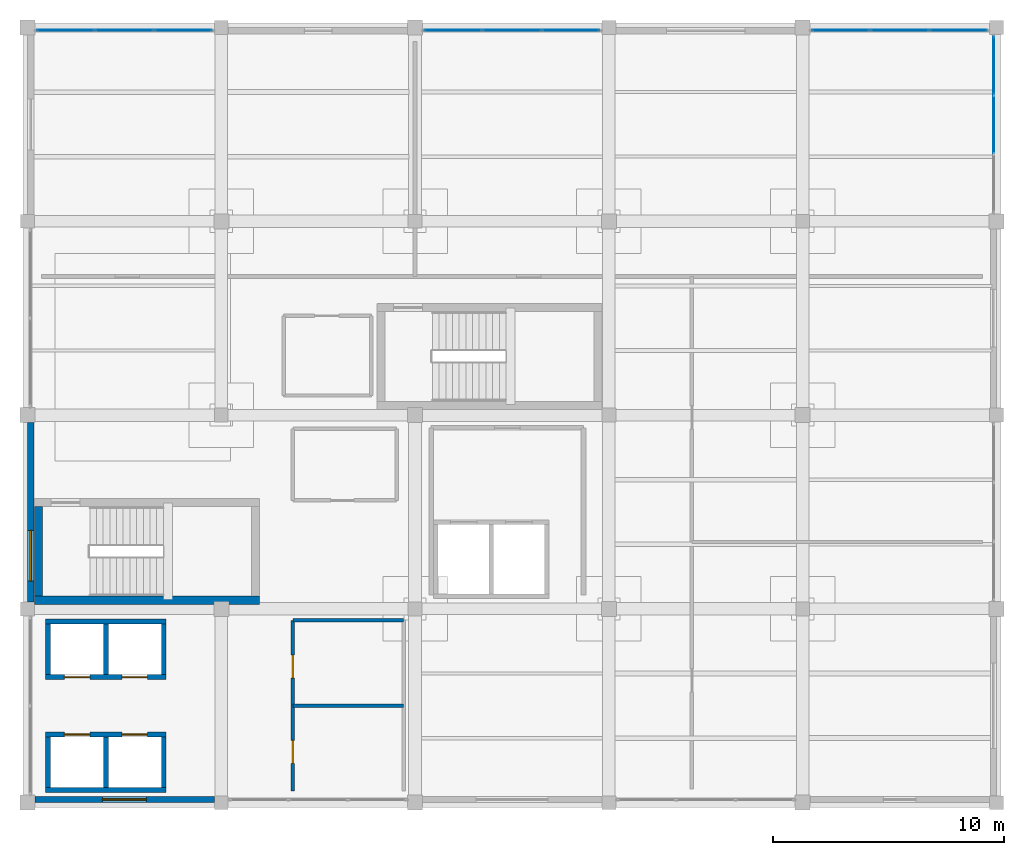
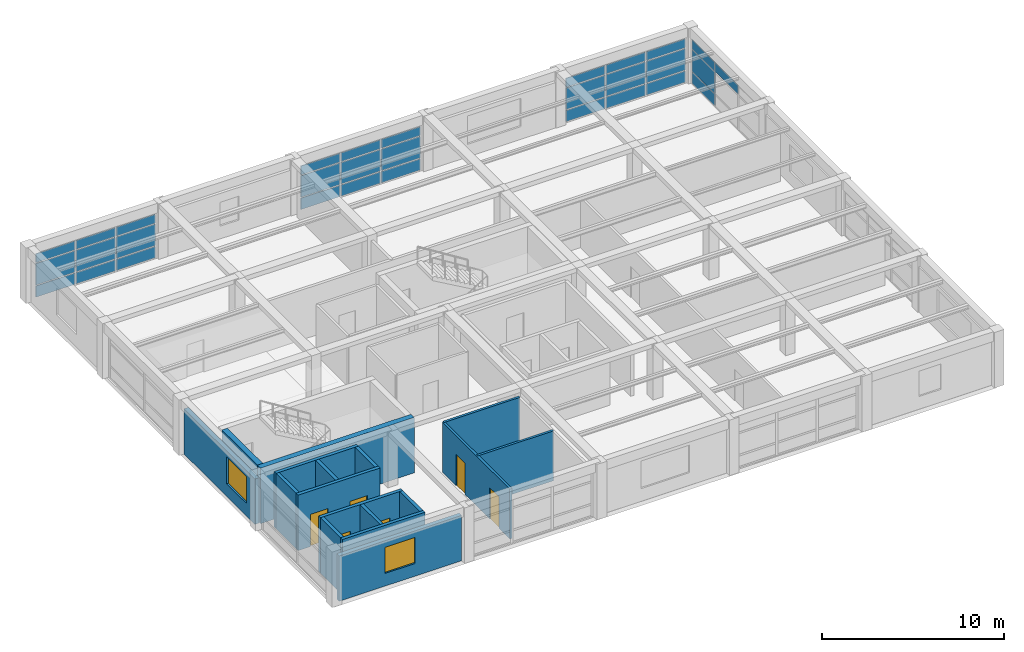
# One storey, part 23 of 26: 31 plates, 17 walls, 6 doors, 2 windows, 8 openings, 4 elements without a shape of their own.
"""IFC4 building model written with IfcOpenShell, lengths in metres."""

from ifc_helpers import new_model, si_unit, direction, frame, frame_2d, origin, origin_2d, place, context, subcontext, project, spatial, rectangle, extrude, material, layer, layer_set, type_object, element, fill, aggregate, save


model = new_model("IFC4")

# Units and contexts
model_context = context("Model", 3, precision=1e-05, world=origin(), true_north=direction((0.0, 1.0)))
body_context = subcontext(model_context, "Body", "Model", "MODEL_VIEW")
ifc_project = project(units=[si_unit("LENGTHUNIT", "METRE"), si_unit("AREAUNIT", "SQUARE_METRE"), si_unit("VOLUMEUNIT", "CUBIC_METRE"), si_unit("PLANEANGLEUNIT", "RADIAN"), si_unit("MASSUNIT", "GRAM", prefix="KILO")], contexts=[model_context])

# Site, building, storey
site_placement = place(None, origin())
site = spatial("IfcSite", under=ifc_project, at=site_placement, CompositionType="ELEMENT")
building_placement = place(site_placement, origin())
building = spatial("IfcBuilding", under=site, at=building_placement, Name="Almacenes y Pasaje Nevantli", CompositionType="ELEMENT")
storey_placement = place(building_placement, frame((0.0, 0.0, 54.699951171875)))
storey = spatial("IfcBuildingStorey", under=building, at=storey_placement, Name="L13", CompositionType="ELEMENT", Elevation=54.699951171875)

# Curtain wall, plates
ifc_material_1 = material(Name="Thermally Broken Aluminium and Low-E Glass", Category="aluminium")
curtain_wall_type = type_object("IfcCurtainWallType", Name="CW-UNIT-TOWER", PredefinedType="USERDEFINED", material=ifc_material_1)
curtain_wall_1_placement = place(storey_placement, origin())
curtain_wall_1 = element("IfcCurtainWall", 1, at=curtain_wall_1_placement, inside=storey, type_object=curtain_wall_type, Name="L13 Tower North Boulevard Unitized Curtain Wall Bay 15", ObjectType="UNITIZED CURTAIN WALL", PredefinedType="USERDEFINED")
ifc_material_2 = material(Name="Acoustic Tempered Low-E Triple Glazed Unit", Category="glass")
ifc_layer_1 = layer(ifc_material_2, 0.0419921875)
ifc_layer_set_1 = layer_set([ifc_layer_1], Name="Acoustic Tempered Low-E Triple Glazed Unit")
plate_type = type_object("IfcPlateType", Name="PL-IGU-42", PredefinedType="CURTAIN_PANEL", material=ifc_layer_set_1)
plate_1_placement = place(storey_placement, frame((119.24951171875, 100.679931640625, 0.065185546875), z_axis=(0.0, 0.0, 1.0), x_axis=(1.0, 0.0, 0.0)))
plate_1 = element("IfcPlate", 2, at=plate_1_placement, type_object=plate_type, Name="CW-L13-168 panel 1.1", PredefinedType="CURTAIN_PANEL", context=body_context, shape_type="SweptSolid", body=[
    extrude(rectangle(XDim=2.46923828125, YDim=0.0419921875, at=origin_2d()), origin(), (0.0, 0.0, 1.0), 0.75244140625),
])
plate_2_placement = place(storey_placement, frame((119.24951171875, 100.679931640625, 0.882568359375), z_axis=(0.0, 0.0, 1.0), x_axis=(1.0, 0.0, 0.0)))
plate_2 = element("IfcPlate", 3, at=plate_2_placement, type_object=plate_type, Name="CW-L13-168 panel 1.2", PredefinedType="CURTAIN_PANEL", context=body_context, shape_type="SweptSolid", body=[
    extrude(rectangle(XDim=2.46923828125, YDim=0.0419921875, at=origin_2d()), origin(), (0.0, 0.0, 1.0), 1.43505859375),
])
plate_3_placement = place(storey_placement, frame((119.24951171875, 100.679931640625, 2.38232421875), z_axis=(0.0, 0.0, 1.0), x_axis=(1.0, 0.0, 0.0)))
plate_3 = element("IfcPlate", 4, at=plate_3_placement, type_object=plate_type, Name="CW-L13-168 panel 1.3", PredefinedType="CURTAIN_PANEL", context=body_context, shape_type="SweptSolid", body=[
    extrude(rectangle(XDim=2.46923828125, YDim=0.0419921875, at=origin_2d()), origin(), (0.0, 0.0, 1.0), 0.592529296875),
])
plate_4_placement = place(storey_placement, frame((121.800048828125, 100.679931640625, 0.065185546875), z_axis=(0.0, 0.0, 1.0), x_axis=(1.0, 0.0, 0.0)))
plate_4 = element("IfcPlate", 5, at=plate_4_placement, type_object=plate_type, Name="CW-L13-168 panel 2.1", PredefinedType="CURTAIN_PANEL", context=body_context, shape_type="SweptSolid", body=[
    extrude(rectangle(XDim=2.501708984375, YDim=0.0419921875, at=origin_2d()), origin(), (0.0, 0.0, 1.0), 0.75244140625),
])
plate_5_placement = place(storey_placement, frame((121.800048828125, 100.679931640625, 0.882568359375), z_axis=(0.0, 0.0, 1.0), x_axis=(1.0, 0.0, 0.0)))
plate_5 = element("IfcPlate", 6, at=plate_5_placement, type_object=plate_type, Name="CW-L13-168 panel 2.2", PredefinedType="CURTAIN_PANEL", context=body_context, shape_type="SweptSolid", body=[
    extrude(rectangle(XDim=2.501708984375, YDim=0.0419921875, at=origin_2d()), origin(), (0.0, 0.0, 1.0), 1.43505859375),
])
plate_6_placement = place(storey_placement, frame((121.800048828125, 100.679931640625, 2.38232421875), z_axis=(0.0, 0.0, 1.0), x_axis=(1.0, 0.0, 0.0)))
plate_6 = element("IfcPlate", 7, at=plate_6_placement, type_object=plate_type, Name="CW-L13-168 panel 2.3", PredefinedType="CURTAIN_PANEL", context=body_context, shape_type="SweptSolid", body=[
    extrude(rectangle(XDim=2.501708984375, YDim=0.0419921875, at=origin_2d()), origin(), (0.0, 0.0, 1.0), 0.592529296875),
])
plate_7_placement = place(storey_placement, frame((124.350341796875, 100.679931640625, 0.065185546875), z_axis=(0.0, 0.0, 1.0), x_axis=(1.0, 0.0, 0.0)))
plate_7 = element("IfcPlate", 8, at=plate_7_placement, type_object=plate_type, Name="CW-L13-168 panel 3.1", PredefinedType="CURTAIN_PANEL", context=body_context, shape_type="SweptSolid", body=[
    extrude(rectangle(XDim=2.46923828125, YDim=0.0419921875, at=origin_2d()), origin(), (0.0, 0.0, 1.0), 0.75244140625),
])
plate_8_placement = place(storey_placement, frame((124.350341796875, 100.679931640625, 0.882568359375), z_axis=(0.0, 0.0, 1.0), x_axis=(1.0, 0.0, 0.0)))
plate_8 = element("IfcPlate", 9, at=plate_8_placement, type_object=plate_type, Name="CW-L13-168 panel 3.2", PredefinedType="CURTAIN_PANEL", context=body_context, shape_type="SweptSolid", body=[
    extrude(rectangle(XDim=2.46923828125, YDim=0.0419921875, at=origin_2d()), origin(), (0.0, 0.0, 1.0), 1.43505859375),
])
plate_9_placement = place(storey_placement, frame((124.350341796875, 100.679931640625, 2.38232421875), z_axis=(0.0, 0.0, 1.0), x_axis=(1.0, 0.0, 0.0)))
plate_9 = element("IfcPlate", 10, at=plate_9_placement, type_object=plate_type, Name="CW-L13-168 panel 3.3", PredefinedType="CURTAIN_PANEL", context=body_context, shape_type="SweptSolid", body=[
    extrude(rectangle(XDim=2.46923828125, YDim=0.0419921875, at=origin_2d()), origin(), (0.0, 0.0, 1.0), 0.592529296875),
])
aggregate(curtain_wall_1, [plate_1, plate_2, plate_3, plate_4, plate_5, plate_6, plate_7, plate_8, plate_9])

curtain_wall_2_placement = place(storey_placement, origin())
curtain_wall_2 = element("IfcCurtainWall", 11, at=curtain_wall_2_placement, inside=storey, type_object=curtain_wall_type, Name="L13 Tower North Boulevard Unitized Curtain Wall Bay 17", ObjectType="UNITIZED CURTAIN WALL", PredefinedType="USERDEFINED")
plate_10_placement = place(storey_placement, frame((136.049560546875, 100.679931640625, 0.065185546875), z_axis=(0.0, 0.0, 1.0), x_axis=(1.0, 0.0, 0.0)))
plate_10 = element("IfcPlate", 12, at=plate_10_placement, type_object=plate_type, Name="CW-L13-170 panel 1.1", PredefinedType="CURTAIN_PANEL", context=body_context, shape_type="SweptSolid", body=[
    extrude(rectangle(XDim=2.46923828125, YDim=0.0419921875, at=origin_2d()), origin(), (0.0, 0.0, 1.0), 0.75244140625),
])
plate_11_placement = place(storey_placement, frame((136.049560546875, 100.679931640625, 0.882568359375), z_axis=(0.0, 0.0, 1.0), x_axis=(1.0, 0.0, 0.0)))
plate_11 = element("IfcPlate", 13, at=plate_11_placement, type_object=plate_type, Name="CW-L13-170 panel 1.2", PredefinedType="CURTAIN_PANEL", context=body_context, shape_type="SweptSolid", body=[
    extrude(rectangle(XDim=2.46923828125, YDim=0.0419921875, at=origin_2d()), origin(), (0.0, 0.0, 1.0), 1.43505859375),
])
plate_12_placement = place(storey_placement, frame((136.049560546875, 100.679931640625, 2.38232421875), z_axis=(0.0, 0.0, 1.0), x_axis=(1.0, 0.0, 0.0)))
plate_12 = element("IfcPlate", 14, at=plate_12_placement, type_object=plate_type, Name="CW-L13-170 panel 1.3", PredefinedType="CURTAIN_PANEL", context=body_context, shape_type="SweptSolid", body=[
    extrude(rectangle(XDim=2.46923828125, YDim=0.0419921875, at=origin_2d()), origin(), (0.0, 0.0, 1.0), 0.592529296875),
])
plate_13_placement = place(storey_placement, frame((138.60009765625, 100.679931640625, 0.065185546875), z_axis=(0.0, 0.0, 1.0), x_axis=(1.0, 0.0, 0.0)))
plate_13 = element("IfcPlate", 15, at=plate_13_placement, type_object=plate_type, Name="CW-L13-170 panel 2.1", PredefinedType="CURTAIN_PANEL", context=body_context, shape_type="SweptSolid", body=[
    extrude(rectangle(XDim=2.501708984375, YDim=0.0419921875, at=origin_2d()), origin(), (0.0, 0.0, 1.0), 0.75244140625),
])
plate_14_placement = place(storey_placement, frame((138.60009765625, 100.679931640625, 0.882568359375), z_axis=(0.0, 0.0, 1.0), x_axis=(1.0, 0.0, 0.0)))
plate_14 = element("IfcPlate", 16, at=plate_14_placement, type_object=plate_type, Name="CW-L13-170 panel 2.2", PredefinedType="CURTAIN_PANEL", context=body_context, shape_type="SweptSolid", body=[
    extrude(rectangle(XDim=2.501708984375, YDim=0.0419921875, at=origin_2d()), origin(), (0.0, 0.0, 1.0), 1.43505859375),
])
plate_15_placement = place(storey_placement, frame((138.60009765625, 100.679931640625, 2.38232421875), z_axis=(0.0, 0.0, 1.0), x_axis=(1.0, 0.0, 0.0)))
plate_15 = element("IfcPlate", 17, at=plate_15_placement, type_object=plate_type, Name="CW-L13-170 panel 2.3", PredefinedType="CURTAIN_PANEL", context=body_context, shape_type="SweptSolid", body=[
    extrude(rectangle(XDim=2.501708984375, YDim=0.0419921875, at=origin_2d()), origin(), (0.0, 0.0, 1.0), 0.592529296875),
])
plate_16_placement = place(storey_placement, frame((141.150390625, 100.679931640625, 0.065185546875), z_axis=(0.0, 0.0, 1.0), x_axis=(1.0, 0.0, 0.0)))
plate_16 = element("IfcPlate", 18, at=plate_16_placement, type_object=plate_type, Name="CW-L13-170 panel 3.1", PredefinedType="CURTAIN_PANEL", context=body_context, shape_type="SweptSolid", body=[
    extrude(rectangle(XDim=2.46923828125, YDim=0.0419921875, at=origin_2d()), origin(), (0.0, 0.0, 1.0), 0.75244140625),
])
plate_17_placement = place(storey_placement, frame((141.150390625, 100.679931640625, 0.882568359375), z_axis=(0.0, 0.0, 1.0), x_axis=(1.0, 0.0, 0.0)))
plate_17 = element("IfcPlate", 19, at=plate_17_placement, type_object=plate_type, Name="CW-L13-170 panel 3.2", PredefinedType="CURTAIN_PANEL", context=body_context, shape_type="SweptSolid", body=[
    extrude(rectangle(XDim=2.46923828125, YDim=0.0419921875, at=origin_2d()), origin(), (0.0, 0.0, 1.0), 1.43505859375),
])
plate_18_placement = place(storey_placement, frame((141.150390625, 100.679931640625, 2.38232421875), z_axis=(0.0, 0.0, 1.0), x_axis=(1.0, 0.0, 0.0)))
plate_18 = element("IfcPlate", 20, at=plate_18_placement, type_object=plate_type, Name="CW-L13-170 panel 3.3", PredefinedType="CURTAIN_PANEL", context=body_context, shape_type="SweptSolid", body=[
    extrude(rectangle(XDim=2.46923828125, YDim=0.0419921875, at=origin_2d()), origin(), (0.0, 0.0, 1.0), 0.592529296875),
])
aggregate(curtain_wall_2, [plate_10, plate_11, plate_12, plate_13, plate_14, plate_15, plate_16, plate_17, plate_18])

curtain_wall_3_placement = place(storey_placement, origin())
curtain_wall_3 = element("IfcCurtainWall", 21, at=curtain_wall_3_placement, inside=storey, type_object=curtain_wall_type, Name="L13 Tower North Boulevard Unitized Curtain Wall Bay 19", ObjectType="UNITIZED CURTAIN WALL", PredefinedType="USERDEFINED")
plate_19_placement = place(storey_placement, frame((152.849609375, 100.679931640625, 0.065185546875), z_axis=(0.0, 0.0, 1.0), x_axis=(1.0, 0.0, 0.0)))
plate_19 = element("IfcPlate", 22, at=plate_19_placement, type_object=plate_type, Name="CW-L13-172 panel 1.1", PredefinedType="CURTAIN_PANEL", context=body_context, shape_type="SweptSolid", body=[
    extrude(rectangle(XDim=2.46923828125, YDim=0.0419921875, at=origin_2d()), origin(), (0.0, 0.0, 1.0), 0.75244140625),
])
plate_20_placement = place(storey_placement, frame((152.849609375, 100.679931640625, 0.882568359375), z_axis=(0.0, 0.0, 1.0), x_axis=(1.0, 0.0, 0.0)))
plate_20 = element("IfcPlate", 23, at=plate_20_placement, type_object=plate_type, Name="CW-L13-172 panel 1.2", PredefinedType="CURTAIN_PANEL", context=body_context, shape_type="SweptSolid", body=[
    extrude(rectangle(XDim=2.46923828125, YDim=0.0419921875, at=origin_2d()), origin(), (0.0, 0.0, 1.0), 1.43505859375),
])
plate_21_placement = place(storey_placement, frame((152.849609375, 100.679931640625, 2.38232421875), z_axis=(0.0, 0.0, 1.0), x_axis=(1.0, 0.0, 0.0)))
plate_21 = element("IfcPlate", 24, at=plate_21_placement, type_object=plate_type, Name="CW-L13-172 panel 1.3", PredefinedType="CURTAIN_PANEL", context=body_context, shape_type="SweptSolid", body=[
    extrude(rectangle(XDim=2.46923828125, YDim=0.0419921875, at=origin_2d()), origin(), (0.0, 0.0, 1.0), 0.592529296875),
])
plate_22_placement = place(storey_placement, frame((155.39990234375, 100.679931640625, 0.065185546875), z_axis=(0.0, 0.0, 1.0), x_axis=(1.0, 0.0, 0.0)))
plate_22 = element("IfcPlate", 25, at=plate_22_placement, type_object=plate_type, Name="CW-L13-172 panel 2.1", PredefinedType="CURTAIN_PANEL", context=body_context, shape_type="SweptSolid", body=[
    extrude(rectangle(XDim=2.501708984375, YDim=0.0419921875, at=origin_2d()), origin(), (0.0, 0.0, 1.0), 0.75244140625),
])
plate_23_placement = place(storey_placement, frame((155.39990234375, 100.679931640625, 0.882568359375), z_axis=(0.0, 0.0, 1.0), x_axis=(1.0, 0.0, 0.0)))
plate_23 = element("IfcPlate", 26, at=plate_23_placement, type_object=plate_type, Name="CW-L13-172 panel 2.2", PredefinedType="CURTAIN_PANEL", context=body_context, shape_type="SweptSolid", body=[
    extrude(rectangle(XDim=2.501708984375, YDim=0.0419921875, at=origin_2d()), origin(), (0.0, 0.0, 1.0), 1.43505859375),
])
plate_24_placement = place(storey_placement, frame((155.39990234375, 100.679931640625, 2.38232421875), z_axis=(0.0, 0.0, 1.0), x_axis=(1.0, 0.0, 0.0)))
plate_24 = element("IfcPlate", 27, at=plate_24_placement, type_object=plate_type, Name="CW-L13-172 panel 2.3", PredefinedType="CURTAIN_PANEL", context=body_context, shape_type="SweptSolid", body=[
    extrude(rectangle(XDim=2.501708984375, YDim=0.0419921875, at=origin_2d()), origin(), (0.0, 0.0, 1.0), 0.592529296875),
])
plate_25_placement = place(storey_placement, frame((157.950439453125, 100.679931640625, 0.065185546875), z_axis=(0.0, 0.0, 1.0), x_axis=(1.0, 0.0, 0.0)))
plate_25 = element("IfcPlate", 28, at=plate_25_placement, type_object=plate_type, Name="CW-L13-172 panel 3.1", PredefinedType="CURTAIN_PANEL", context=body_context, shape_type="SweptSolid", body=[
    extrude(rectangle(XDim=2.46923828125, YDim=0.0419921875, at=origin_2d()), origin(), (0.0, 0.0, 1.0), 0.75244140625),
])
plate_26_placement = place(storey_placement, frame((157.950439453125, 100.679931640625, 0.882568359375), z_axis=(0.0, 0.0, 1.0), x_axis=(1.0, 0.0, 0.0)))
plate_26 = element("IfcPlate", 29, at=plate_26_placement, type_object=plate_type, Name="CW-L13-172 panel 3.2", PredefinedType="CURTAIN_PANEL", context=body_context, shape_type="SweptSolid", body=[
    extrude(rectangle(XDim=2.46923828125, YDim=0.0419921875, at=origin_2d()), origin(), (0.0, 0.0, 1.0), 1.43505859375),
])
plate_27_placement = place(storey_placement, frame((157.950439453125, 100.679931640625, 2.38232421875), z_axis=(0.0, 0.0, 1.0), x_axis=(1.0, 0.0, 0.0)))
plate_27 = element("IfcPlate", 30, at=plate_27_placement, type_object=plate_type, Name="CW-L13-172 panel 3.3", PredefinedType="CURTAIN_PANEL", context=body_context, shape_type="SweptSolid", body=[
    extrude(rectangle(XDim=2.46923828125, YDim=0.0419921875, at=origin_2d()), origin(), (0.0, 0.0, 1.0), 0.592529296875),
])
aggregate(curtain_wall_3, [plate_19, plate_20, plate_21, plate_22, plate_23, plate_24, plate_25, plate_26, plate_27])

curtain_wall_4_placement = place(storey_placement, origin())
curtain_wall_4 = element("IfcCurtainWall", 31, at=curtain_wall_4_placement, inside=storey, type_object=curtain_wall_type, Name="L13 Tower East Curtain Wall Bay 12", ObjectType="UNITIZED CURTAIN WALL", PredefinedType="USERDEFINED")
plate_28_placement = place(storey_placement, frame((159.47998046875, 96.60009765625, 2.3798828125), z_axis=(0.0, 0.0, 1.0), x_axis=(0.0, 1.0, 0.0)))
plate_28 = element("IfcPlate", 32, at=plate_28_placement, type_object=plate_type, Name="CW-L13-176 panel 2.3", PredefinedType="CURTAIN_PANEL", context=body_context, shape_type="SweptSolid", body=[
    extrude(rectangle(XDim=2.506591796875, YDim=0.0419921875, at=origin_2d()), origin(), (0.0, 0.0, 1.0), 0.60009765625),
])
plate_29_placement = place(storey_placement, frame((159.47998046875, 99.151611328125, 0.06005859375), z_axis=(0.0, 0.0, 1.0), x_axis=(0.0, 1.0, 0.0)))
plate_29 = element("IfcPlate", 33, at=plate_29_placement, type_object=plate_type, Name="CW-L13-176 panel 3.1", PredefinedType="CURTAIN_PANEL", context=body_context, shape_type="SweptSolid", body=[
    extrude(rectangle(XDim=2.4765625, YDim=0.0419921875, at=origin_2d()), origin(), (0.0, 0.0, 1.0), 0.760009765625),
])
plate_30_placement = place(storey_placement, frame((159.47998046875, 99.151611328125, 0.880126953125), z_axis=(0.0, 0.0, 1.0), x_axis=(0.0, 1.0, 0.0)))
plate_30 = element("IfcPlate", 34, at=plate_30_placement, type_object=plate_type, Name="CW-L13-176 panel 3.2", PredefinedType="CURTAIN_PANEL", context=body_context, shape_type="SweptSolid", body=[
    extrude(rectangle(XDim=2.4765625, YDim=0.0419921875, at=origin_2d()), origin(), (0.0, 0.0, 1.0), 1.43994140625),
])
plate_31_placement = place(storey_placement, frame((159.47998046875, 99.151611328125, 2.3798828125), z_axis=(0.0, 0.0, 1.0), x_axis=(0.0, 1.0, 0.0)))
plate_31 = element("IfcPlate", 35, at=plate_31_placement, type_object=plate_type, Name="CW-L13-176 panel 3.3", PredefinedType="CURTAIN_PANEL", context=body_context, shape_type="SweptSolid", body=[
    extrude(rectangle(XDim=2.4765625, YDim=0.0419921875, at=origin_2d()), origin(), (0.0, 0.0, 1.0), 0.60009765625),
])
aggregate(curtain_wall_4, [plate_28, plate_29, plate_30, plate_31])

# Walls
ifc_material_3 = material(Name="Concrete C45/55", Category="concrete")
ifc_layer_2 = layer(ifc_material_3, 0.35009765625)
ifc_layer_set_2 = layer_set([ifc_layer_2], Name="Concrete C45/55")
wall_type_1 = type_object("IfcWallType", Name="WL-CORE-350", PredefinedType="SHEAR", material=ifc_layer_set_2)
wall_1_placement = place(storey_placement, frame((117.89990234375, 75.97509765625, 0.0), z_axis=(0.0, 0.0, 1.0), x_axis=(1.0, 0.0, 0.0)))
element("IfcWall", 36, at=wall_1_placement, inside=storey, type_object=wall_type_1, Name="L13 Exit Stair ST-01 South Core Shear Wall", PredefinedType="SHEAR", context=body_context, shape_type="SweptSolid", body=[
    extrude(rectangle(XDim=9.75, YDim=0.35009765625, at=frame_2d((4.875, 0.0))), origin(), (0.0, 0.0, 1.0), 3.719970703125),
])
wall_2_placement = place(storey_placement, frame((118.074951171875, 76.14990234375, 0.0), z_axis=(0.0, 0.0, 1.0), x_axis=(0.0, 1.0, 0.0)))
element("IfcWall", 37, at=wall_2_placement, inside=storey, type_object=wall_type_1, Name="L13 Exit Stair ST-01 West Core Shear Wall", PredefinedType="SHEAR", context=body_context, shape_type="SweptSolid", body=[
    extrude(rectangle(XDim=3.89013671875, YDim=0.35009765625, at=frame_2d((1.945068359375, 0.0))), origin(), (0.0, 0.0, 1.0), 3.719970703125),
])

# Wall, opening, window
ifc_material_4 = material(Name="Architectural Precast Concrete C35/45 Spandrel Wall", Category="concrete")
ifc_layer_3 = layer(ifc_material_4, 0.280029296875)
ifc_layer_set_3 = layer_set([ifc_layer_3], Name="Architectural Precast Concrete C35/45 Spandrel Wall")
wall_type_2 = type_object("IfcWallType", Name="WL-EXT-CANTERA-280", PredefinedType="SOLIDWALL", material=ifc_layer_set_3)
wall_3_placement = place(storey_placement, frame((117.739990234375, 75.902099609375, 0.0), z_axis=(0.0, 0.0, 1.0), x_axis=(0.0, 1.0, 0.0)))
wall_3 = element("IfcWall", 38, at=wall_3_placement, inside=storey, type_object=wall_type_2, Name="L13 Tower West Cantera Wall Bay 10", PredefinedType="SOLIDWALL", context=body_context, shape_type="SweptSolid", body=[
    extrude(rectangle(XDim=7.77001953125, YDim=0.280029296875, at=frame_2d((3.885009765625, 0.0))), origin(), (0.0, 0.0, 1.0), 3.0400390625),
])
opening_1_placement = place(wall_3_placement, frame((0.89794921875, 0.0, 0.85009765625)))
opening_1 = element("IfcOpeningElement", 39, at=opening_1_placement, cuts=wall_3, Name="Opening WT-31-265", PredefinedType="OPENING", context=body_context, shape_type="SweptSolid", body=[
    extrude(rectangle(XDim=2.199951171875, YDim=1.800048828125, at=frame_2d((1.10009765625, 0.89990234375))), frame((0.0, 0.14990234375, 0.0), z_axis=(0.0, -1.0, 0.0), x_axis=(1.0, 0.0, 0.0)), (0.0, 0.0, 1.0), 0.300048828125),
])
ifc_material_5 = material(Name="Thermally Broken Aluminium and Low-E Double Glazing", Category="aluminium")
window_type_1 = type_object("IfcWindowType", Name="WN-TWR-2200x1800", PartitioningType="SINGLE_PANEL", PredefinedType="WINDOW", material=ifc_material_5)
window_1_placement = place(opening_1_placement, origin())
window_1 = element("IfcWindow", 40, at=window_1_placement, inside=storey, type_object=window_type_1, Name="L13 Exterior Window WT-31 #265", OverallHeight=1.800048828125, OverallWidth=2.199951171875, PartitioningType="SINGLE_PANEL", PredefinedType="WINDOW", context=body_context, shape_type="SweptSolid", body=[
    extrude(rectangle(XDim=2.199951171875, YDim=1.800048828125, at=frame_2d((1.10009765625, 0.89990234375))), frame((0.0, 0.030029296875, 0.0), z_axis=(0.0, -1.0, 0.0), x_axis=(1.0, 0.0, 0.0)), (0.0, 0.0, 1.0), 0.06005859375),
])
fill(opening_1, window_1)

ifc_material_6 = material(Name="Cream Architectural Precast Concrete C35/45 Wall", Category="concrete")
ifc_layer_4 = layer(ifc_material_6, 0.260009765625)
ifc_layer_set_4 = layer_set([ifc_layer_4], Name="Cream Architectural Precast Concrete C35/45 Wall")
wall_type_3 = type_object("IfcWallType", Name="WL-EXT-PRECAST-260", PredefinedType="SOLIDWALL", material=ifc_layer_set_4)
wall_4_placement = place(storey_placement, frame((117.927978515625, 67.340087890625, 0.0), z_axis=(0.0, 0.0, 1.0), x_axis=(1.0, 0.0, 0.0)))
wall_4 = element("IfcWall", 41, at=wall_4_placement, inside=storey, type_object=wall_type_3, Name="L13 Tower South Precast Spandrel Wall Bay 15", PredefinedType="SOLIDWALL", context=body_context, shape_type="SweptSolid", body=[
    extrude(rectangle(XDim=7.76806640625, YDim=0.260009765625, at=frame_2d((3.884033203125, 0.0))), origin(), (0.0, 0.0, 1.0), 3.0400390625),
])
opening_2_placement = place(wall_4_placement, frame((2.922119140625, 0.0, 0.85009765625)))
opening_2 = element("IfcOpeningElement", 42, at=opening_2_placement, cuts=wall_4, Name="Opening WT-32-259", PredefinedType="OPENING", context=body_context, shape_type="SweptSolid", body=[
    extrude(rectangle(XDim=1.89990234375, YDim=1.75, at=frame_2d((0.949951171875, 0.875))), frame((0.0, 0.139892578125, 0.0), z_axis=(0.0, -1.0, 0.0), x_axis=(1.0, 0.0, 0.0)), (0.0, 0.0, 1.0), 0.280029296875),
])
ifc_material_7 = material(Name="Thermally Broken Aluminium and Low-E Double Glazing", Category="aluminium")
window_type_2 = type_object("IfcWindowType", Name="WN-TWR-1900x1750", PartitioningType="SINGLE_PANEL", PredefinedType="WINDOW", material=ifc_material_7)
window_2_placement = place(opening_2_placement, origin())
window_2 = element("IfcWindow", 43, at=window_2_placement, inside=storey, type_object=window_type_2, Name="L13 Exterior Window WT-32 #259", OverallHeight=1.75, OverallWidth=1.89990234375, PartitioningType="SINGLE_PANEL", PredefinedType="WINDOW", context=body_context, shape_type="SweptSolid", body=[
    extrude(rectangle(XDim=1.89990234375, YDim=1.75, at=frame_2d((0.949951171875, 0.875))), frame((0.0, 0.030029296875, 0.0), z_axis=(0.0, -1.0, 0.0), x_axis=(1.0, 0.0, 0.0)), (0.0, 0.0, 1.0), 0.06005859375),
])
fill(opening_2, window_2)

# Wall, openings, doors
ifc_material_8 = material(Name="Acoustic Steel-Stud Gypsum Partition", Category="steel")
ifc_layer_5 = layer(ifc_material_8, 0.14990234375)
ifc_layer_set_5 = layer_set([ifc_layer_5], Name="Acoustic Steel-Stud Gypsum Partition")
wall_type_4 = type_object("IfcWallType", Name="WL-PART-150", PredefinedType="PARTITIONING", material=ifc_layer_set_5)
wall_5_placement = place(storey_placement, frame((129.10009765625, 67.699951171875, 0.0), z_axis=(0.0, 0.0, 1.0), x_axis=(0.0, 1.0, 0.0)))
wall_5 = element("IfcWall", 44, at=wall_5_placement, inside=storey, type_object=wall_type_4, Name="L13 Interior Partition Wall IW-150 #232", PredefinedType="PARTITIONING", context=body_context, shape_type="SweptSolid", body=[
    extrude(rectangle(XDim=7.400146484375, YDim=0.14990234375, at=frame_2d((3.7001953125, 0.0))), origin(), (0.0, 0.0, 1.0), 3.340087890625),
])
opening_3_placement = place(wall_5_placement, frame((1.199951171875, 0.0, 0.0)))
opening_3 = element("IfcOpeningElement", 45, at=opening_3_placement, cuts=wall_5, Name="Opening ID-L13-123", PredefinedType="OPENING", context=body_context, shape_type="SweptSolid", body=[
    extrude(rectangle(XDim=1.0, YDim=2.10009765625, at=frame_2d((0.5, 1.050048828125))), frame((0.0, 0.0849609375, 0.0), z_axis=(0.0, -1.0, 0.0), x_axis=(1.0, 0.0, 0.0)), (0.0, 0.0, 1.0), 0.169921875),
])
opening_4_placement = place(wall_5_placement, frame((4.89990234375, 0.0, 0.0)))
opening_4 = element("IfcOpeningElement", 46, at=opening_4_placement, cuts=wall_5, Name="Opening ID-L13-124", PredefinedType="OPENING", context=body_context, shape_type="SweptSolid", body=[
    extrude(rectangle(XDim=1.0, YDim=2.10009765625, at=frame_2d((0.5, 1.050048828125))), frame((0.0, 0.0849609375, 0.0), z_axis=(0.0, -1.0, 0.0), x_axis=(1.0, 0.0, 0.0)), (0.0, 0.0, 1.0), 0.169921875),
])
ifc_material_9 = material(Name="Powder-Coated Hollow Metal", Category="steel")
door_type_1 = type_object("IfcDoorType", Name="DR-INT-1000", OperationType="SINGLE_SWING_LEFT", PredefinedType="DOOR", material=ifc_material_9)
door_1_placement = place(opening_3_placement, origin())
door_1 = element("IfcDoor", 47, at=door_1_placement, inside=storey, type_object=door_type_1, Name="L13 Archive Room Door", OperationType="SINGLE_SWING_LEFT", OverallHeight=2.10009765625, OverallWidth=1.0, PredefinedType="DOOR", context=body_context, shape_type="SweptSolid", body=[
    extrude(rectangle(XDim=1.0, YDim=2.10009765625, at=frame_2d((0.5, 1.050048828125))), frame((0.0, 0.02490234375, 0.0), z_axis=(0.0, -1.0, 0.0), x_axis=(1.0, 0.0, 0.0)), (0.0, 0.0, 1.0), 0.050048828125),
])
fill(opening_3, door_1)
ifc_material_10 = material(Name="Powder-Coated Hollow Metal", Category="steel")
door_type_2 = type_object("IfcDoorType", Name="DR-INT-1000R", OperationType="SINGLE_SWING_RIGHT", PredefinedType="DOOR", material=ifc_material_10)
door_2_placement = place(opening_4_placement, origin())
door_2 = element("IfcDoor", 48, at=door_2_placement, inside=storey, type_object=door_type_2, Name="L13 IT Server Room Door", OperationType="SINGLE_SWING_RIGHT", OverallHeight=2.10009765625, OverallWidth=1.0, PredefinedType="DOOR", context=body_context, shape_type="SweptSolid", body=[
    extrude(rectangle(XDim=1.0, YDim=2.10009765625, at=frame_2d((0.5, 1.050048828125))), frame((0.0, 0.02490234375, 0.0), z_axis=(0.0, -1.0, 0.0), x_axis=(1.0, 0.0, 0.0)), (0.0, 0.0, 1.0), 0.050048828125),
])
fill(opening_4, door_2)

# Walls
for number, where, z_axis, x_axis, name in (
    (49, (129.10009765625, 71.39990234375, 0.0), (0.0, 0.0, 1.0), (1.0, 0.0, 0.0), "L13 Interior Partition Wall IW-150 #233"),
    (50, (129.10009765625, 75.10009765625, 0.0), (0.0, 0.0, 1.0), (1.0, 0.0, 0.0), "L13 Interior Partition Wall IW-150 #235"),
):
    element("IfcWall", number, at=place(storey_placement, frame(where, z_axis=z_axis, x_axis=x_axis)), inside=storey, type_object=wall_type_4, Name=name, PredefinedType="PARTITIONING", context=body_context, shape_type="SweptSolid", body=[
        extrude(rectangle(XDim=4.7998046875, YDim=0.14990234375, at=frame_2d((2.39990234375, 0.0))), origin(), (0.0, 0.0, 1.0), 3.340087890625),
    ])
ifc_material_11 = material(Name="Concrete C45/55", Category="concrete")
ifc_layer_6 = layer(ifc_material_11, 0.2099609375)
ifc_layer_set_6 = layer_set([ifc_layer_6], Name="Concrete C45/55")
wall_type_5 = type_object("IfcWallType", Name="WL-SHAFT-210", PredefinedType="SHEAR", material=ifc_layer_set_6)
wall_6_placement = place(storey_placement, frame((118.389892578125, 67.7451171875, 0.0), z_axis=(0.0, 0.0, 1.0), x_axis=(1.0, 0.0, 0.0)))
element("IfcWall", 51, at=wall_6_placement, inside=storey, type_object=wall_type_5, Name="L13 Lift Hoistway ELV-P05-ELV-P06 South Wall", PredefinedType="SHEAR", context=body_context, shape_type="SweptSolid", body=[
    extrude(rectangle(XDim=5.22021484375, YDim=0.2099609375, at=frame_2d((2.610107421875, 0.0))), origin(), (0.0, 0.0, 1.0), 3.719970703125),
])

# Wall, openings, doors
wall_7_placement = place(storey_placement, frame((118.389892578125, 70.155029296875, 0.0), z_axis=(0.0, 0.0, 1.0), x_axis=(1.0, 0.0, 0.0)))
wall_7 = element("IfcWall", 52, at=wall_7_placement, inside=storey, type_object=wall_type_5, Name="L13 Lift Hoistway ELV-P05-ELV-P06 North Wall", PredefinedType="SHEAR", context=body_context, shape_type="SweptSolid", body=[
    extrude(rectangle(XDim=5.22021484375, YDim=0.2099609375, at=frame_2d((2.610107421875, 0.0))), origin(), (0.0, 0.0, 1.0), 3.719970703125),
])
opening_5_placement = place(wall_7_placement, frame((0.81005859375, 0.0, 0.0)))
opening_5 = element("IfcOpeningElement", 53, at=opening_5_placement, cuts=wall_7, Name="Opening LD-P05-L13", PredefinedType="OPENING", context=body_context, shape_type="SweptSolid", body=[
    extrude(rectangle(XDim=1.10009765625, YDim=2.14990234375, at=frame_2d((0.550048828125, 1.074951171875))), frame((0.0, 0.114990234375, 0.0), z_axis=(0.0, -1.0, 0.0), x_axis=(1.0, 0.0, 0.0)), (0.0, 0.0, 1.0), 0.22998046875),
])
opening_6_placement = place(wall_7_placement, frame((3.31005859375, 0.0, 0.0)))
opening_6 = element("IfcOpeningElement", 54, at=opening_6_placement, cuts=wall_7, Name="Opening LD-P06-L13", PredefinedType="OPENING", context=body_context, shape_type="SweptSolid", body=[
    extrude(rectangle(XDim=1.10009765625, YDim=2.14990234375, at=frame_2d((0.550048828125, 1.074951171875))), frame((0.0, 0.114990234375, 0.0), z_axis=(0.0, -1.0, 0.0), x_axis=(1.0, 0.0, 0.0)), (0.0, 0.0, 1.0), 0.22998046875),
])
ifc_material_12 = material(Name="Brushed Stainless Steel", Category="steel")
door_type_3 = type_object("IfcDoorType", Name="DR-LD-PASS-1100", OperationType="DOUBLE_DOOR_SLIDING", PredefinedType="DOOR", material=ifc_material_12)
door_3_placement = place(opening_5_placement, origin())
door_3 = element("IfcDoor", 55, at=door_3_placement, inside=storey, type_object=door_type_3, Name="Lift Landing Door ELV-P05 L13", OperationType="DOUBLE_DOOR_SLIDING", OverallHeight=2.14990234375, OverallWidth=1.10009765625, PredefinedType="DOOR", context=body_context, shape_type="SweptSolid", body=[
    extrude(rectangle(XDim=1.10009765625, YDim=2.14990234375, at=frame_2d((0.550048828125, 1.074951171875))), frame((0.0, 0.02490234375, 0.0), z_axis=(0.0, -1.0, 0.0), x_axis=(1.0, 0.0, 0.0)), (0.0, 0.0, 1.0), 0.050048828125),
])
fill(opening_5, door_3)
door_4_placement = place(opening_6_placement, origin())
door_4 = element("IfcDoor", 56, at=door_4_placement, inside=storey, type_object=door_type_3, Name="Lift Landing Door ELV-P06 L13", OperationType="DOUBLE_DOOR_SLIDING", OverallHeight=2.14990234375, OverallWidth=1.10009765625, PredefinedType="DOOR", context=body_context, shape_type="SweptSolid", body=[
    extrude(rectangle(XDim=1.10009765625, YDim=2.14990234375, at=frame_2d((0.550048828125, 1.074951171875))), frame((0.0, 0.02490234375, 0.0), z_axis=(0.0, -1.0, 0.0), x_axis=(1.0, 0.0, 0.0)), (0.0, 0.0, 1.0), 0.050048828125),
])
fill(opening_6, door_4)

# Walls
for number, where, z_axis, x_axis, name in (
    (57, (118.4951171875, 67.85009765625, 0.0), (0.0, 0.0, 1.0), (0.0, 1.0, 0.0), "L13 Lift Hoistway ELV-P05 West Wall"),
    (58, (123.5048828125, 67.85009765625, 0.0), (0.0, 0.0, 1.0), (0.0, 1.0, 0.0), "L13 Lift Hoistway ELV-P06 East Wall"),
    (59, (121.0, 67.85009765625, 0.0), (0.0, 0.0, 1.0), (0.0, 1.0, 0.0), "L13 Lift Hoistway Divider Wall ELV-P05/ELV-P06"),
):
    element("IfcWall", number, at=place(storey_placement, frame(where, z_axis=z_axis, x_axis=x_axis)), inside=storey, type_object=wall_type_5, Name=name, PredefinedType="SHEAR", context=body_context, shape_type="SweptSolid", body=[
        extrude(rectangle(XDim=2.199951171875, YDim=0.2099609375, at=frame_2d((1.10009765625, 0.0))), origin(), (0.0, 0.0, 1.0), 3.719970703125),
    ])

# Wall, openings, doors
wall_8_placement = place(storey_placement, frame((118.389892578125, 72.64501953125, 0.0), z_axis=(0.0, 0.0, 1.0), x_axis=(1.0, 0.0, 0.0)))
wall_8 = element("IfcWall", 60, at=wall_8_placement, inside=storey, type_object=wall_type_5, Name="L13 Lift Hoistway ELV-P07-ELV-P08 South Wall", PredefinedType="SHEAR", context=body_context, shape_type="SweptSolid", body=[
    extrude(rectangle(XDim=5.22021484375, YDim=0.2099609375, at=frame_2d((2.610107421875, 0.0))), origin(), (0.0, 0.0, 1.0), 3.719970703125),
])
opening_7_placement = place(wall_8_placement, frame((0.81005859375, 0.0, 0.0)))
opening_7 = element("IfcOpeningElement", 61, at=opening_7_placement, cuts=wall_8, Name="Opening LD-P07-L13", PredefinedType="OPENING", context=body_context, shape_type="SweptSolid", body=[
    extrude(rectangle(XDim=1.10009765625, YDim=2.14990234375, at=frame_2d((0.550048828125, 1.074951171875))), frame((0.0, 0.114990234375, 0.0), z_axis=(0.0, -1.0, 0.0), x_axis=(1.0, 0.0, 0.0)), (0.0, 0.0, 1.0), 0.22998046875),
])
opening_8_placement = place(wall_8_placement, frame((3.31005859375, 0.0, 0.0)))
opening_8 = element("IfcOpeningElement", 62, at=opening_8_placement, cuts=wall_8, Name="Opening LD-P08-L13", PredefinedType="OPENING", context=body_context, shape_type="SweptSolid", body=[
    extrude(rectangle(XDim=1.10009765625, YDim=2.14990234375, at=frame_2d((0.550048828125, 1.074951171875))), frame((0.0, 0.114990234375, 0.0), z_axis=(0.0, -1.0, 0.0), x_axis=(1.0, 0.0, 0.0)), (0.0, 0.0, 1.0), 0.22998046875),
])
door_5_placement = place(opening_7_placement, origin())
door_5 = element("IfcDoor", 63, at=door_5_placement, inside=storey, type_object=door_type_3, Name="Lift Landing Door ELV-P07 L13", OperationType="DOUBLE_DOOR_SLIDING", OverallHeight=2.14990234375, OverallWidth=1.10009765625, PredefinedType="DOOR", context=body_context, shape_type="SweptSolid", body=[
    extrude(rectangle(XDim=1.10009765625, YDim=2.14990234375, at=frame_2d((0.550048828125, 1.074951171875))), frame((0.0, 0.02490234375, 0.0), z_axis=(0.0, -1.0, 0.0), x_axis=(1.0, 0.0, 0.0)), (0.0, 0.0, 1.0), 0.050048828125),
])
fill(opening_7, door_5)
door_6_placement = place(opening_8_placement, origin())
door_6 = element("IfcDoor", 64, at=door_6_placement, inside=storey, type_object=door_type_3, Name="Lift Landing Door ELV-P08 L13", OperationType="DOUBLE_DOOR_SLIDING", OverallHeight=2.14990234375, OverallWidth=1.10009765625, PredefinedType="DOOR", context=body_context, shape_type="SweptSolid", body=[
    extrude(rectangle(XDim=1.10009765625, YDim=2.14990234375, at=frame_2d((0.550048828125, 1.074951171875))), frame((0.0, 0.02490234375, 0.0), z_axis=(0.0, -1.0, 0.0), x_axis=(1.0, 0.0, 0.0)), (0.0, 0.0, 1.0), 0.050048828125),
])
fill(opening_8, door_6)

# Walls
wall_9_placement = place(storey_placement, frame((118.389892578125, 75.054931640625, 0.0), z_axis=(0.0, 0.0, 1.0), x_axis=(1.0, 0.0, 0.0)))
element("IfcWall", 65, at=wall_9_placement, inside=storey, type_object=wall_type_5, Name="L13 Lift Hoistway ELV-P07-ELV-P08 North Wall", PredefinedType="SHEAR", context=body_context, shape_type="SweptSolid", body=[
    extrude(rectangle(XDim=5.22021484375, YDim=0.2099609375, at=frame_2d((2.610107421875, 0.0))), origin(), (0.0, 0.0, 1.0), 3.719970703125),
])
for number, where, z_axis, x_axis, name in (
    (66, (118.4951171875, 72.75, 0.0), (0.0, 0.0, 1.0), (0.0, 1.0, 0.0), "L13 Lift Hoistway ELV-P07 West Wall"),
    (67, (123.5048828125, 72.75, 0.0), (0.0, 0.0, 1.0), (0.0, 1.0, 0.0), "L13 Lift Hoistway ELV-P08 East Wall"),
    (68, (121.0, 72.75, 0.0), (0.0, 0.0, 1.0), (0.0, 1.0, 0.0), "L13 Lift Hoistway Divider Wall ELV-P07/ELV-P08"),
):
    element("IfcWall", number, at=place(storey_placement, frame(where, z_axis=z_axis, x_axis=x_axis)), inside=storey, type_object=wall_type_5, Name=name, PredefinedType="SHEAR", context=body_context, shape_type="SweptSolid", body=[
        extrude(rectangle(XDim=2.199951171875, YDim=0.2099609375, at=frame_2d((1.10009765625, 0.0))), origin(), (0.0, 0.0, 1.0), 3.719970703125),
    ])

save(model, "model.ifc")
